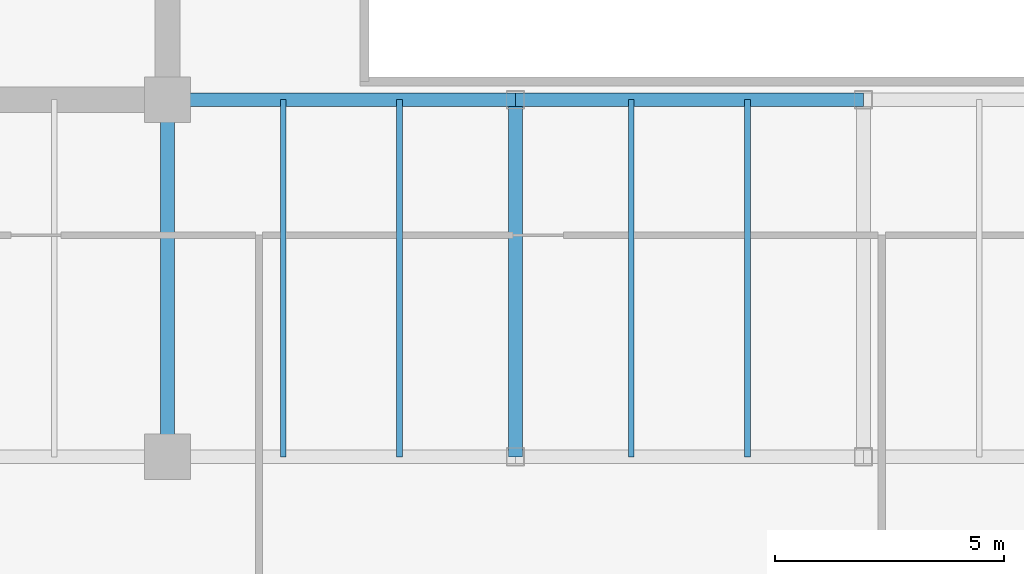
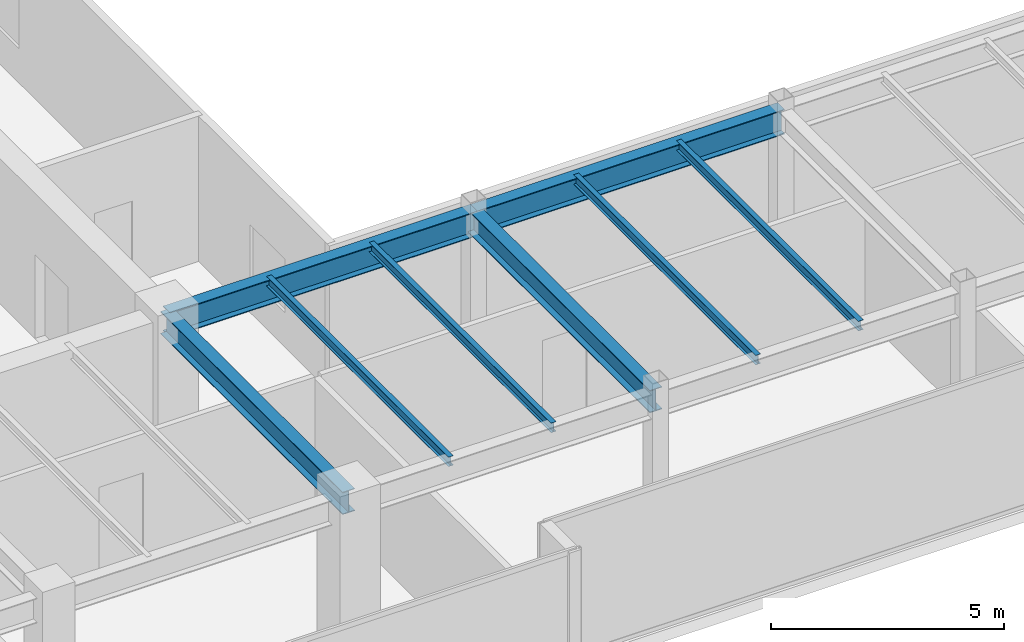
# One storey, part 8 of 33: 8 beams.
"""IFC4 building model written with IfcOpenShell, lengths in metres."""

from ifc_helpers import new_model, si_unit, direction, frame, origin, origin_2d, place, context, subcontext, project, spatial, i_section, extrude, source, transform, mapped, material, material_profile, profile_set, type_object, type_shapes, element, save


model = new_model("IFC4")

# Units and contexts
model_context = context("Model", 3, precision=1e-05, world=origin(), true_north=direction((0.0, 1.0)))
body_context = subcontext(model_context, "Body", "Model", "MODEL_VIEW")
ifc_project = project(units=[si_unit("LENGTHUNIT", "METRE"), si_unit("AREAUNIT", "SQUARE_METRE"), si_unit("VOLUMEUNIT", "CUBIC_METRE"), si_unit("PLANEANGLEUNIT", "RADIAN"), si_unit("MASSUNIT", "GRAM", prefix="KILO")], contexts=[model_context])

# Site, building, storey
site_placement = place(None, origin())
site = spatial("IfcSite", under=ifc_project, at=site_placement, CompositionType="ELEMENT")
building_placement = place(site_placement, origin())
building = spatial("IfcBuilding", under=site, at=building_placement, Name="Haelvirn Gate Laboratories", CompositionType="ELEMENT")
storey_placement = place(building_placement, frame((0.0, 0.0, 267.0)))
storey = spatial("IfcBuildingStorey", under=building, at=storey_placement, Name="L64", CompositionType="ELEMENT", Elevation=267.0)

# Beams
ifc_material = material(Name="Steel SM355", Category="steel")
ifc_material_profile_1 = material_profile(ifc_material, i_section(OverallWidth=0.300048828125, OverallDepth=0.587890625, WebThickness=0.011962890625, FlangeThickness=0.02001953125, at=origin_2d()), Name="H-588x300x12x20")
ifc_profile_set_1 = profile_set([ifc_material_profile_1], Name="Steel SM355")
beam_type_1 = type_object("IfcBeamType", Name="BM-G-588", PredefinedType="BEAM", material=ifc_profile_set_1)
shared_shape_1 = source(origin(), body_context, "Body", "SweptSolid", [
    extrude(i_section(OverallWidth=0.300048828125, OverallDepth=0.587890625, WebThickness=0.011962890625, FlangeThickness=0.02001953125, at=origin_2d()), origin(), (0.0, 0.0, 1.0), 7.800048828125),
])
type_shapes(beam_type_1, [shared_shape_1])
for number, where, z_axis, x_axis, name in (
    (1, (22.199951171875, 7.0, 3.506103515625), (0.0, 1.0, 0.0), (-1.0, 0.0, 0.0), "L64 Frame Girder X22.2 (7.0-14.8)"),
    (2, (29.800048828125, 7.0, 3.506103515625), (0.0, 1.0, 0.0), (-1.0, 0.0, 0.0), "L64 Frame Girder X29.8 (7.0-14.8)"),
):
    element("IfcBeam", number, at=place(storey_placement, frame(where, z_axis=z_axis, x_axis=x_axis)), inside=storey, type_object=beam_type_1, Name=name, PredefinedType="BEAM", context=body_context, shape_type="MappedRepresentation", body=[
        mapped(shared_shape_1, transform((0.0, 0.0, 0.0), scale=1.0)),
    ])
ifc_material_profile_2 = material_profile(ifc_material, i_section(OverallWidth=0.300048828125, OverallDepth=0.64990234375, WebThickness=0.012939453125, FlangeThickness=0.02197265625, at=origin_2d()), Name="H-650x300x13x22")
ifc_profile_set_2 = profile_set([ifc_material_profile_2], Name="Steel SM355")
beam_type_2 = type_object("IfcBeamType", Name="BM-G-650", PredefinedType="BEAM", material=ifc_profile_set_2)
shared_shape_2 = source(origin(), body_context, "Body", "SweptSolid", [
    extrude(i_section(OverallWidth=0.300048828125, OverallDepth=0.64990234375, WebThickness=0.012939453125, FlangeThickness=0.02197265625, at=origin_2d()), origin(), (0.0, 0.0, 1.0), 7.60009765625),
])
beam_1_placement = place(storey_placement, frame((22.199951171875, 14.800048828125, 3.47509765625), z_axis=(1.0, 0.0, 0.0), x_axis=(0.0, 1.0, 0.0)))
element("IfcBeam", 3, at=beam_1_placement, inside=storey, type_object=beam_type_2, Name="L64 Primary Girder Y14.8 (22.2-29.8)", PredefinedType="BEAM", context=body_context, shape_type="MappedRepresentation", body=[
    mapped(shared_shape_2, transform((0.0, 0.0, 0.0), scale=1.0)),
])
shared_shape_3 = source(origin(), body_context, "Body", "SweptSolid", [
    extrude(i_section(OverallWidth=0.300048828125, OverallDepth=0.64990234375, WebThickness=0.012939453125, FlangeThickness=0.02197265625, at=origin_2d()), origin(), (0.0, 0.0, 1.0), 7.599853515625),
])
type_shapes(beam_type_2, [shared_shape_2, shared_shape_3])
beam_2_placement = place(storey_placement, frame((29.800048828125, 14.800048828125, 3.47509765625), z_axis=(1.0, 0.0, 0.0), x_axis=(0.0, 1.0, 0.0)))
element("IfcBeam", 4, at=beam_2_placement, inside=storey, type_object=beam_type_2, Name="L64 Primary Girder Y14.8 (29.8-37.4)", PredefinedType="BEAM", context=body_context, shape_type="MappedRepresentation", body=[
    mapped(shared_shape_3, transform((0.0, 0.0, 0.0), scale=1.0)),
])
ifc_material_profile_3 = material_profile(ifc_material, i_section(OverallWidth=0.125, OverallDepth=0.25, WebThickness=0.006103515625, FlangeThickness=0.009033203125, at=origin_2d()), Name="H-250x125x6x9")
ifc_profile_set_3 = profile_set([ifc_material_profile_3], Name="Steel SM355")
beam_type_3 = type_object("IfcBeamType", Name="BM-J-250", PredefinedType="JOIST", material=ifc_profile_set_3)
shared_shape_4 = source(origin(), body_context, "Body", "SweptSolid", [
    extrude(i_section(OverallWidth=0.125, OverallDepth=0.25, WebThickness=0.006103515625, FlangeThickness=0.009033203125, at=origin_2d()), origin(), (0.0, 0.0, 1.0), 7.800048828125),
])
type_shapes(beam_type_3, [shared_shape_4])
for number, where, z_axis, x_axis, name in (
    (5, (24.72998046875, 7.0, 3.675048828125), (0.0, 1.0, 0.0), (-1.0, 0.0, 0.0), "L64 Composite Lab Joist South X24.73"),
    (6, (27.27001953125, 7.0, 3.675048828125), (0.0, 1.0, 0.0), (-1.0, 0.0, 0.0), "L64 Composite Lab Joist South X27.27"),
    (7, (32.330078125, 7.0, 3.675048828125), (0.0, 1.0, 0.0), (-1.0, 0.0, 0.0), "L64 Composite Lab Joist South X32.33"),
    (8, (34.8701171875, 7.0, 3.675048828125), (0.0, 1.0, 0.0), (-1.0, 0.0, 0.0), "L64 Composite Lab Joist South X34.87"),
):
    element("IfcBeam", number, at=place(storey_placement, frame(where, z_axis=z_axis, x_axis=x_axis)), inside=storey, type_object=beam_type_3, Name=name, PredefinedType="JOIST", context=body_context, shape_type="MappedRepresentation", body=[
        mapped(shared_shape_4, transform((0.0, 0.0, 0.0), scale=1.0)),
    ])

save(model, "model.ifc")
